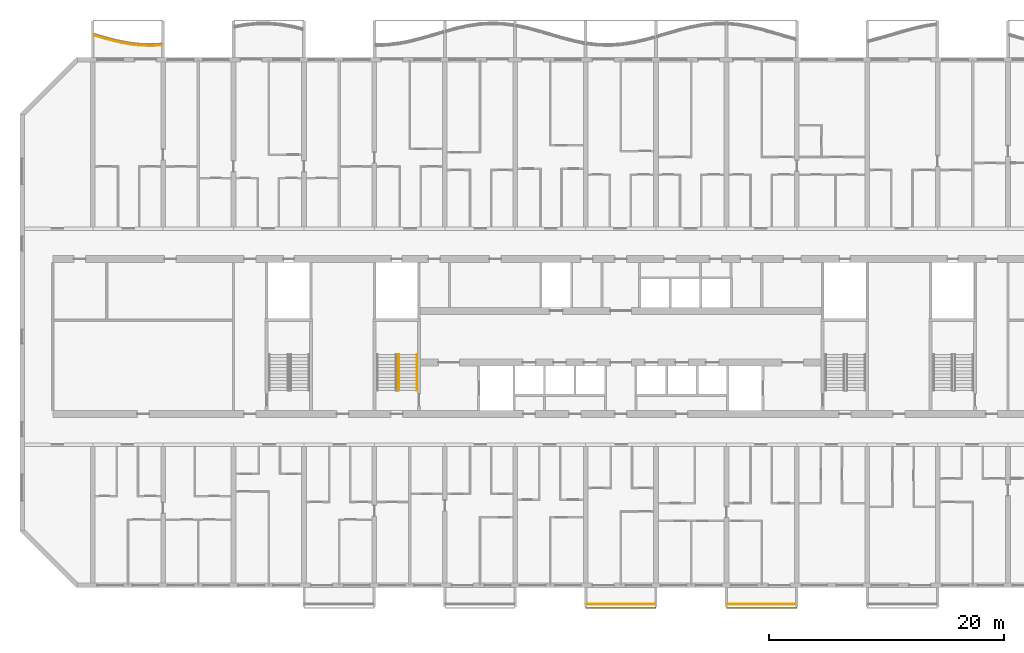
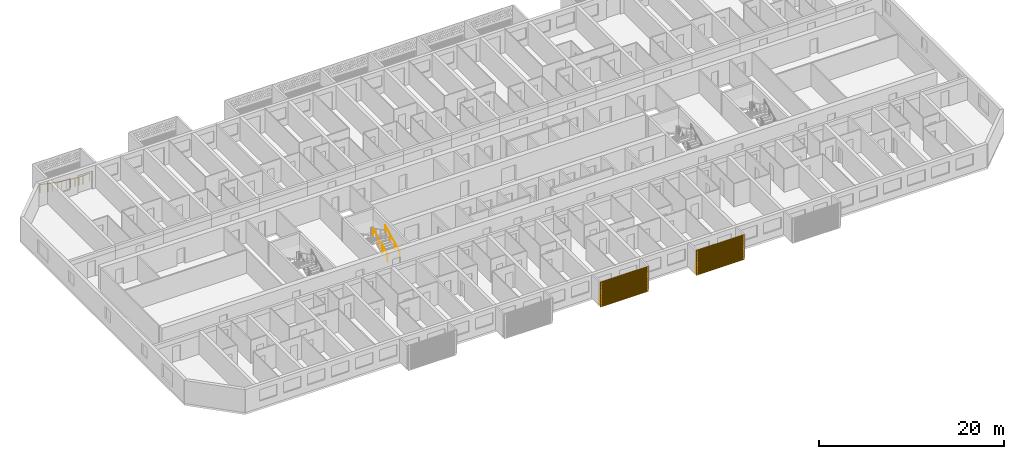
# One storey, part 22 of 44: 5 railings, 2 shading devices.
"""IFC4 building model written with IfcOpenShell, lengths in metres."""

from ifc_helpers import new_model, si_unit, direction, frame, origin, origin_2d, place, context, subcontext, project, spatial, polyline, circle, outline, extrude, source, transform, mapped, material, material_profile, profile_set, type_object, element, save


model = new_model("IFC4")

# Units and contexts
model_context = context("Model", 3, precision=1e-05, world=origin(), true_north=direction((0.0, 1.0)))
body_context = subcontext(model_context, "Body", "Model", "MODEL_VIEW")
ifc_project = project(units=[si_unit("LENGTHUNIT", "METRE"), si_unit("AREAUNIT", "SQUARE_METRE"), si_unit("VOLUMEUNIT", "CUBIC_METRE"), si_unit("PLANEANGLEUNIT", "RADIAN"), si_unit("MASSUNIT", "GRAM", prefix="KILO")], contexts=[model_context])

# Site, building, storey
site_placement = place(None, origin())
site = spatial("IfcSite", under=ifc_project, at=site_placement, CompositionType="ELEMENT")
building_placement = place(site_placement, origin())
building = spatial("IfcBuilding", under=site, at=building_placement, Name="Poui Terraces", CompositionType="ELEMENT")
storey_placement = place(building_placement, frame((0.0, 0.0, 26.699951171875)))
storey = spatial("IfcBuildingStorey", under=building, at=storey_placement, Name="L06", CompositionType="ELEMENT", Elevation=26.699951171875)

# Railings
ifc_material_1 = material(Name="Painted steel fretwork", Category="steel")
railing_type_1 = type_object("IfcRailingType", Name="BALCONY GUARD 1100", PredefinedType="GUARDRAIL", material=ifc_material_1)
railing_1_placement = place(storey_placement, frame((6.125, 46.84521484375, 0.0)))
element("IfcRailing", 1, at=railing_1_placement, inside=storey, type_object=railing_type_1, Name="BALCONY GUARD", PredefinedType="GUARDRAIL", context=body_context, shape_type="SweptSolid", body=[
    extrude(circle(Radius=0.02392578125, at=origin_2d()), frame((0.0, 0.0, 1.076171875), z_axis=(0.96009595316, -0.279670807784, 0.0), x_axis=(0.279670807784, 0.96009595316, 0.0)), (0.0, 0.0, 1.0), 0.911376953125),
    extrude(circle(Radius=0.02392578125, at=origin_2d()), frame((0.875, -0.2548828125, 1.076171875), z_axis=(0.967589671846, -0.252527675587, 0.0), x_axis=(0.252527675587, 0.967589671846, 0.0)), (0.0, 0.0, 1.0), 1.033447265625),
    extrude(circle(Radius=0.02392578125, at=origin_2d()), frame((1.875, -0.515869140625, 1.076171875), z_axis=(0.980080566497, -0.198600310106, 0.0), x_axis=(0.198600310106, 0.980080566497, 0.0)), (0.0, 0.0, 1.0), 1.020263671875),
    extrude(circle(Radius=0.02392578125, at=origin_2d()), frame((2.875, -0.718505859375, 1.076171875), z_axis=(0.992455772574, -0.122603178936, 0.0), x_axis=(0.122603178936, 0.992455772574, 0.0)), (0.0, 0.0, 1.0), 1.007568359375),
    extrude(circle(Radius=0.02392578125, at=origin_2d()), frame((3.875, -0.842041015625, 1.076171875), z_axis=(0.999488954364, -0.031966077398, 0.0), x_axis=(0.031966077398, 0.999488954364, 0.0)), (0.0, 0.0, 1.0), 1.00048828125),
    extrude(circle(Radius=0.02392578125, at=origin_2d()), frame((4.875, -0.8740234375, 1.076171875), z_axis=(0.998352239869, 0.057382969144, 0.0), x_axis=(-0.057382969144, 0.998352239869, 0.0)), (0.0, 0.0, 1.0), 0.87646484375),
    extrude(circle(Radius=0.02099609375, at=origin_2d()), origin(), (0.0, 0.0, 1.0), 1.052001953125),
    extrude(circle(Radius=0.02099609375, at=origin_2d()), frame((0.875, -0.2548828125, 0.0)), (0.0, 0.0, 1.0), 1.052001953125),
    extrude(circle(Radius=0.02099609375, at=origin_2d()), frame((1.375, -0.38525390625, 0.0)), (0.0, 0.0, 1.0), 1.052001953125),
    extrude(circle(Radius=0.02099609375, at=origin_2d()), frame((1.875, -0.515869140625, 0.0)), (0.0, 0.0, 1.0), 1.052001953125),
    extrude(circle(Radius=0.02099609375, at=origin_2d()), frame((2.375, -0.6171875, 0.0)), (0.0, 0.0, 1.0), 1.052001953125),
    extrude(circle(Radius=0.02099609375, at=origin_2d()), frame((2.875, -0.718505859375, 0.0)), (0.0, 0.0, 1.0), 1.052001953125),
    extrude(circle(Radius=0.02099609375, at=origin_2d()), frame((3.375, -0.7802734375, 0.0)), (0.0, 0.0, 1.0), 1.052001953125),
    extrude(circle(Radius=0.02099609375, at=origin_2d()), frame((3.875, -0.842041015625, 0.0)), (0.0, 0.0, 1.0), 1.052001953125),
    extrude(circle(Radius=0.02099609375, at=origin_2d()), frame((4.375, -0.85791015625, 0.0)), (0.0, 0.0, 1.0), 1.052001953125),
    extrude(circle(Radius=0.02099609375, at=origin_2d()), frame((4.875, -0.8740234375, 0.0)), (0.0, 0.0, 1.0), 1.052001953125),
    extrude(circle(Radius=0.02099609375, at=origin_2d()), frame((5.75, -0.82373046875, 0.0)), (0.0, 0.0, 1.0), 1.052001953125),
])
for number, where, name in (
    (2, (48.10009765625, -1.570068359375, 0.0), "BALCONY GUARD"),
    (3, (60.10009765625, -1.570068359375, 0.0), "BALCONY GUARD"),
):
    element("IfcRailing", number, at=place(storey_placement, frame(where)), inside=storey, type_object=railing_type_1, Name=name, PredefinedType="GUARDRAIL", context=body_context, shape_type="SweptSolid", body=[
        extrude(circle(Radius=0.02392578125, at=origin_2d()), frame((0.0, 0.0, 1.076171875), z_axis=(1.0, 0.0, 0.0), x_axis=(0.0, 1.0, 0.0)), (0.0, 0.0, 1.0), 5.7998046875),
        extrude(circle(Radius=0.02099609375, at=origin_2d()), origin(), (0.0, 0.0, 1.0), 1.052001953125),
        extrude(circle(Radius=0.02099609375, at=origin_2d()), frame((0.966552734375, 0.0, 0.0)), (0.0, 0.0, 1.0), 1.052001953125),
        extrude(circle(Radius=0.02099609375, at=origin_2d()), frame((1.933349609375, 0.0, 0.0)), (0.0, 0.0, 1.0), 1.052001953125),
        extrude(circle(Radius=0.02099609375, at=origin_2d()), frame((2.89990234375, 0.0, 0.0)), (0.0, 0.0, 1.0), 1.052001953125),
        extrude(circle(Radius=0.02099609375, at=origin_2d()), frame((3.866455078125, 0.0, 0.0)), (0.0, 0.0, 1.0), 1.052001953125),
        extrude(circle(Radius=0.02099609375, at=origin_2d()), frame((4.833251953125, 0.0, 0.0)), (0.0, 0.0, 1.0), 1.052001953125),
        extrude(circle(Radius=0.02099609375, at=origin_2d()), frame((5.7998046875, 0.0, 0.0)), (0.0, 0.0, 1.0), 1.052001953125),
    ])
ifc_material_2 = material(Name="Galvanised steel balustrade", Category="steel")
railing_type_2 = type_object("IfcRailingType", Name="STAIR GUARD 1100", PredefinedType="GUARDRAIL", material=ifc_material_2)
railing_2_placement = place(storey_placement, frame((32.074951171875, 16.60009765625, 0.137451171875)))
element("IfcRailing", 4, at=railing_2_placement, inside=storey, type_object=railing_type_2, Name="L06 ST-CW stair guard 1", PredefinedType="GUARDRAIL", context=body_context, shape_type="SweptSolid", body=[
    extrude(circle(Radius=0.02392578125, at=origin_2d()), frame((0.0, 0.0, 1.076171875), z_axis=(0.0, 0.897578036475, 0.440855609512), x_axis=(-1.0, 0.0, 0.0)), (0.0, 0.0, 1.0), 3.43115234375),
    extrude(circle(Radius=0.02099609375, at=origin_2d()), origin(), (0.0, 0.0, 1.0), 1.052001953125),
    extrude(circle(Radius=0.02099609375, at=origin_2d()), frame((0.0, 1.026611328125, 0.504150390625)), (0.0, 0.0, 1.0), 1.052001953125),
    extrude(circle(Radius=0.02099609375, at=origin_2d()), frame((0.0, 2.05322265625, 1.008544921875)), (0.0, 0.0, 1.0), 1.052001953125),
    extrude(circle(Radius=0.02099609375, at=origin_2d()), frame((0.0, 3.079833984375, 1.5126953125)), (0.0, 0.0, 1.0), 1.052001953125),
])
ifc_material_3 = material(Name="Stainless steel handrail", Category="steel")
railing_type_3 = type_object("IfcRailingType", Name="STAIR HANDRAIL 900", PredefinedType="HANDRAIL", material=ifc_material_3)
railing_3_placement = place(storey_placement, frame((33.625, 16.60009765625, 0.137451171875)))
element("IfcRailing", 5, at=railing_3_placement, inside=storey, type_object=railing_type_3, Name="L06 ST-CW stair handrail 1", PredefinedType="HANDRAIL", context=body_context, shape_type="SweptSolid", body=[
    extrude(circle(Radius=0.02392578125, at=origin_2d()), frame((0.0, 0.0, 0.8759765625), z_axis=(0.0, 0.897578036475, 0.440855609512), x_axis=(-1.0, 0.0, 0.0)), (0.0, 0.0, 1.0), 3.43115234375),
    extrude(circle(Radius=0.02099609375, at=origin_2d()), origin(), (0.0, 0.0, 1.0), 0.851806640625),
    extrude(circle(Radius=0.02099609375, at=origin_2d()), frame((0.0, 1.026611328125, 0.504150390625)), (0.0, 0.0, 1.0), 0.851806640625),
    extrude(circle(Radius=0.02099609375, at=origin_2d()), frame((0.0, 2.05322265625, 1.008544921875)), (0.0, 0.0, 1.0), 0.851806640625),
    extrude(circle(Radius=0.02099609375, at=origin_2d()), frame((0.0, 3.079833984375, 1.5126953125)), (0.0, 0.0, 1.0), 0.851806640625),
])

# Shading devices
ifc_material_4 = material(Name="Aluminium louvre", Category="aluminium")
ifc_material_profile = material_profile(ifc_material_4, outline(polyline([(-3.0, -1.64990234375), (3.0, -1.64990234375), (3.0, 1.64990234375), (-3.0, 1.64990234375), (-3.0, -1.64990234375)]), holes=[polyline([(-2.800048828125, -1.530029296875), (2.800048828125, -1.530029296875), (2.800048828125, -1.469970703125), (-2.800048828125, -1.469970703125), (-2.800048828125, -1.530029296875)]), polyline([(-2.800048828125, -1.429931640625), (2.800048828125, -1.429931640625), (2.800048828125, -1.3701171875), (-2.800048828125, -1.3701171875), (-2.800048828125, -1.429931640625)]), polyline([(-2.800048828125, -1.330078125), (2.800048828125, -1.330078125), (2.800048828125, -1.27001953125), (-2.800048828125, -1.27001953125), (-2.800048828125, -1.330078125)]), polyline([(-2.800048828125, -1.22998046875), (2.800048828125, -1.22998046875), (2.800048828125, -1.169921875), (-2.800048828125, -1.169921875), (-2.800048828125, -1.22998046875)]), polyline([(-2.800048828125, -1.1298828125), (2.800048828125, -1.1298828125), (2.800048828125, -1.070068359375), (-2.800048828125, -1.070068359375), (-2.800048828125, -1.1298828125)]), polyline([(-2.800048828125, -1.030029296875), (2.800048828125, -1.030029296875), (2.800048828125, -0.969970703125), (-2.800048828125, -0.969970703125), (-2.800048828125, -1.030029296875)]), polyline([(-2.800048828125, -0.929931640625), (2.800048828125, -0.929931640625), (2.800048828125, -0.8701171875), (-2.800048828125, -0.8701171875), (-2.800048828125, -0.929931640625)]), polyline([(-2.800048828125, -0.830078125), (2.800048828125, -0.830078125), (2.800048828125, -0.77001953125), (-2.800048828125, -0.77001953125), (-2.800048828125, -0.830078125)]), polyline([(-2.800048828125, -0.72998046875), (2.800048828125, -0.72998046875), (2.800048828125, -0.669921875), (-2.800048828125, -0.669921875), (-2.800048828125, -0.72998046875)]), polyline([(-2.800048828125, -0.6298828125), (2.800048828125, -0.6298828125), (2.800048828125, -0.570068359375), (-2.800048828125, -0.570068359375), (-2.800048828125, -0.6298828125)]), polyline([(-2.800048828125, -0.530029296875), (2.800048828125, -0.530029296875), (2.800048828125, -0.469970703125), (-2.800048828125, -0.469970703125), (-2.800048828125, -0.530029296875)]), polyline([(-2.800048828125, -0.429931640625), (2.800048828125, -0.429931640625), (2.800048828125, -0.3701171875), (-2.800048828125, -0.3701171875), (-2.800048828125, -0.429931640625)]), polyline([(-2.800048828125, -0.330078125), (2.800048828125, -0.330078125), (2.800048828125, -0.27001953125), (-2.800048828125, -0.27001953125), (-2.800048828125, -0.330078125)]), polyline([(-2.800048828125, -0.22998046875), (2.800048828125, -0.22998046875), (2.800048828125, -0.169921875), (-2.800048828125, -0.169921875), (-2.800048828125, -0.22998046875)]), polyline([(-2.800048828125, -0.1298828125), (2.800048828125, -0.1298828125), (2.800048828125, -0.070068359375), (-2.800048828125, -0.070068359375), (-2.800048828125, -0.1298828125)]), polyline([(-2.800048828125, -0.030029296875), (2.800048828125, -0.030029296875), (2.800048828125, 0.030029296875), (-2.800048828125, 0.030029296875), (-2.800048828125, -0.030029296875)]), polyline([(-2.800048828125, 0.070068359375), (2.800048828125, 0.070068359375), (2.800048828125, 0.1298828125), (-2.800048828125, 0.1298828125), (-2.800048828125, 0.070068359375)]), polyline([(-2.800048828125, 0.169921875), (2.800048828125, 0.169921875), (2.800048828125, 0.22998046875), (-2.800048828125, 0.22998046875), (-2.800048828125, 0.169921875)]), polyline([(-2.800048828125, 0.27001953125), (2.800048828125, 0.27001953125), (2.800048828125, 0.330078125), (-2.800048828125, 0.330078125), (-2.800048828125, 0.27001953125)]), polyline([(-2.800048828125, 0.3701171875), (2.800048828125, 0.3701171875), (2.800048828125, 0.429931640625), (-2.800048828125, 0.429931640625), (-2.800048828125, 0.3701171875)]), polyline([(-2.800048828125, 0.469970703125), (2.800048828125, 0.469970703125), (2.800048828125, 0.530029296875), (-2.800048828125, 0.530029296875), (-2.800048828125, 0.469970703125)]), polyline([(-2.800048828125, 0.570068359375), (2.800048828125, 0.570068359375), (2.800048828125, 0.6298828125), (-2.800048828125, 0.6298828125), (-2.800048828125, 0.570068359375)]), polyline([(-2.800048828125, 0.669921875), (2.800048828125, 0.669921875), (2.800048828125, 0.72998046875), (-2.800048828125, 0.72998046875), (-2.800048828125, 0.669921875)]), polyline([(-2.800048828125, 0.77001953125), (2.800048828125, 0.77001953125), (2.800048828125, 0.830078125), (-2.800048828125, 0.830078125), (-2.800048828125, 0.77001953125)]), polyline([(-2.800048828125, 0.8701171875), (2.800048828125, 0.8701171875), (2.800048828125, 0.929931640625), (-2.800048828125, 0.929931640625), (-2.800048828125, 0.8701171875)]), polyline([(-2.800048828125, 0.969970703125), (2.800048828125, 0.969970703125), (2.800048828125, 1.030029296875), (-2.800048828125, 1.030029296875), (-2.800048828125, 0.969970703125)]), polyline([(-2.800048828125, 1.070068359375), (2.800048828125, 1.070068359375), (2.800048828125, 1.1298828125), (-2.800048828125, 1.1298828125), (-2.800048828125, 1.070068359375)]), polyline([(-2.800048828125, 1.169921875), (2.800048828125, 1.169921875), (2.800048828125, 1.22998046875), (-2.800048828125, 1.22998046875), (-2.800048828125, 1.169921875)]), polyline([(-2.800048828125, 1.27001953125), (2.800048828125, 1.27001953125), (2.800048828125, 1.330078125), (-2.800048828125, 1.330078125), (-2.800048828125, 1.27001953125)]), polyline([(-2.800048828125, 1.3701171875), (2.800048828125, 1.3701171875), (2.800048828125, 1.429931640625), (-2.800048828125, 1.429931640625), (-2.800048828125, 1.3701171875)]), polyline([(-2.800048828125, 1.469970703125), (2.800048828125, 1.469970703125), (2.800048828125, 1.530029296875), (-2.800048828125, 1.530029296875), (-2.800048828125, 1.469970703125)])]), Name="JALOUSIE LOUVRE SHUTTER 6000X3300")
ifc_profile_set = profile_set([ifc_material_profile], Name="Aluminium louvre")
shading_device_type = type_object("IfcShadingDeviceType", Name="JALOUSIE LOUVRE SHUTTER 6000X3300", PredefinedType="JALOUSIE", material=ifc_profile_set)
shared_shape = source(origin(), body_context, "Body", "SweptSolid", [
    extrude(outline(polyline([(-3.0, -1.64990234375), (3.0, -1.64990234375), (3.0, 1.64990234375), (-3.0, 1.64990234375), (-3.0, -1.64990234375)]), holes=[polyline([(-2.800048828125, -1.530029296875), (2.800048828125, -1.530029296875), (2.800048828125, -1.469970703125), (-2.800048828125, -1.469970703125), (-2.800048828125, -1.530029296875)]), polyline([(-2.800048828125, -1.429931640625), (2.800048828125, -1.429931640625), (2.800048828125, -1.3701171875), (-2.800048828125, -1.3701171875), (-2.800048828125, -1.429931640625)]), polyline([(-2.800048828125, -1.330078125), (2.800048828125, -1.330078125), (2.800048828125, -1.27001953125), (-2.800048828125, -1.27001953125), (-2.800048828125, -1.330078125)]), polyline([(-2.800048828125, -1.22998046875), (2.800048828125, -1.22998046875), (2.800048828125, -1.169921875), (-2.800048828125, -1.169921875), (-2.800048828125, -1.22998046875)]), polyline([(-2.800048828125, -1.1298828125), (2.800048828125, -1.1298828125), (2.800048828125, -1.070068359375), (-2.800048828125, -1.070068359375), (-2.800048828125, -1.1298828125)]), polyline([(-2.800048828125, -1.030029296875), (2.800048828125, -1.030029296875), (2.800048828125, -0.969970703125), (-2.800048828125, -0.969970703125), (-2.800048828125, -1.030029296875)]), polyline([(-2.800048828125, -0.929931640625), (2.800048828125, -0.929931640625), (2.800048828125, -0.8701171875), (-2.800048828125, -0.8701171875), (-2.800048828125, -0.929931640625)]), polyline([(-2.800048828125, -0.830078125), (2.800048828125, -0.830078125), (2.800048828125, -0.77001953125), (-2.800048828125, -0.77001953125), (-2.800048828125, -0.830078125)]), polyline([(-2.800048828125, -0.72998046875), (2.800048828125, -0.72998046875), (2.800048828125, -0.669921875), (-2.800048828125, -0.669921875), (-2.800048828125, -0.72998046875)]), polyline([(-2.800048828125, -0.6298828125), (2.800048828125, -0.6298828125), (2.800048828125, -0.570068359375), (-2.800048828125, -0.570068359375), (-2.800048828125, -0.6298828125)]), polyline([(-2.800048828125, -0.530029296875), (2.800048828125, -0.530029296875), (2.800048828125, -0.469970703125), (-2.800048828125, -0.469970703125), (-2.800048828125, -0.530029296875)]), polyline([(-2.800048828125, -0.429931640625), (2.800048828125, -0.429931640625), (2.800048828125, -0.3701171875), (-2.800048828125, -0.3701171875), (-2.800048828125, -0.429931640625)]), polyline([(-2.800048828125, -0.330078125), (2.800048828125, -0.330078125), (2.800048828125, -0.27001953125), (-2.800048828125, -0.27001953125), (-2.800048828125, -0.330078125)]), polyline([(-2.800048828125, -0.22998046875), (2.800048828125, -0.22998046875), (2.800048828125, -0.169921875), (-2.800048828125, -0.169921875), (-2.800048828125, -0.22998046875)]), polyline([(-2.800048828125, -0.1298828125), (2.800048828125, -0.1298828125), (2.800048828125, -0.070068359375), (-2.800048828125, -0.070068359375), (-2.800048828125, -0.1298828125)]), polyline([(-2.800048828125, -0.030029296875), (2.800048828125, -0.030029296875), (2.800048828125, 0.030029296875), (-2.800048828125, 0.030029296875), (-2.800048828125, -0.030029296875)]), polyline([(-2.800048828125, 0.070068359375), (2.800048828125, 0.070068359375), (2.800048828125, 0.1298828125), (-2.800048828125, 0.1298828125), (-2.800048828125, 0.070068359375)]), polyline([(-2.800048828125, 0.169921875), (2.800048828125, 0.169921875), (2.800048828125, 0.22998046875), (-2.800048828125, 0.22998046875), (-2.800048828125, 0.169921875)]), polyline([(-2.800048828125, 0.27001953125), (2.800048828125, 0.27001953125), (2.800048828125, 0.330078125), (-2.800048828125, 0.330078125), (-2.800048828125, 0.27001953125)]), polyline([(-2.800048828125, 0.3701171875), (2.800048828125, 0.3701171875), (2.800048828125, 0.429931640625), (-2.800048828125, 0.429931640625), (-2.800048828125, 0.3701171875)]), polyline([(-2.800048828125, 0.469970703125), (2.800048828125, 0.469970703125), (2.800048828125, 0.530029296875), (-2.800048828125, 0.530029296875), (-2.800048828125, 0.469970703125)]), polyline([(-2.800048828125, 0.570068359375), (2.800048828125, 0.570068359375), (2.800048828125, 0.6298828125), (-2.800048828125, 0.6298828125), (-2.800048828125, 0.570068359375)]), polyline([(-2.800048828125, 0.669921875), (2.800048828125, 0.669921875), (2.800048828125, 0.72998046875), (-2.800048828125, 0.72998046875), (-2.800048828125, 0.669921875)]), polyline([(-2.800048828125, 0.77001953125), (2.800048828125, 0.77001953125), (2.800048828125, 0.830078125), (-2.800048828125, 0.830078125), (-2.800048828125, 0.77001953125)]), polyline([(-2.800048828125, 0.8701171875), (2.800048828125, 0.8701171875), (2.800048828125, 0.929931640625), (-2.800048828125, 0.929931640625), (-2.800048828125, 0.8701171875)]), polyline([(-2.800048828125, 0.969970703125), (2.800048828125, 0.969970703125), (2.800048828125, 1.030029296875), (-2.800048828125, 1.030029296875), (-2.800048828125, 0.969970703125)]), polyline([(-2.800048828125, 1.070068359375), (2.800048828125, 1.070068359375), (2.800048828125, 1.1298828125), (-2.800048828125, 1.1298828125), (-2.800048828125, 1.070068359375)]), polyline([(-2.800048828125, 1.169921875), (2.800048828125, 1.169921875), (2.800048828125, 1.22998046875), (-2.800048828125, 1.22998046875), (-2.800048828125, 1.169921875)]), polyline([(-2.800048828125, 1.27001953125), (2.800048828125, 1.27001953125), (2.800048828125, 1.330078125), (-2.800048828125, 1.330078125), (-2.800048828125, 1.27001953125)]), polyline([(-2.800048828125, 1.3701171875), (2.800048828125, 1.3701171875), (2.800048828125, 1.429931640625), (-2.800048828125, 1.429931640625), (-2.800048828125, 1.3701171875)]), polyline([(-2.800048828125, 1.469970703125), (2.800048828125, 1.469970703125), (2.800048828125, 1.530029296875), (-2.800048828125, 1.530029296875), (-2.800048828125, 1.469970703125)])]), origin(), (0.0, 0.0, 1.0), 0.099853515625),
])
for number, where, z_axis, x_axis, name in (
    (6, (51.0, -1.85009765625, 1.449951171875), (0.0, -1.0, 0.0), (1.0, 0.0, 0.0), "JALOUSIE LOUVRE SHUTTER"),
    (7, (63.0, -1.85009765625, 1.449951171875), (0.0, -1.0, 0.0), (1.0, 0.0, 0.0), "JALOUSIE LOUVRE SHUTTER"),
):
    element("IfcShadingDevice", number, at=place(storey_placement, frame(where, z_axis=z_axis, x_axis=x_axis)), inside=storey, type_object=shading_device_type, Name=name, PredefinedType="JALOUSIE", context=body_context, shape_type="MappedRepresentation", body=[
        mapped(shared_shape, transform((0.0, 0.0, 0.0))),
    ])

save(model, "model.ifc")
